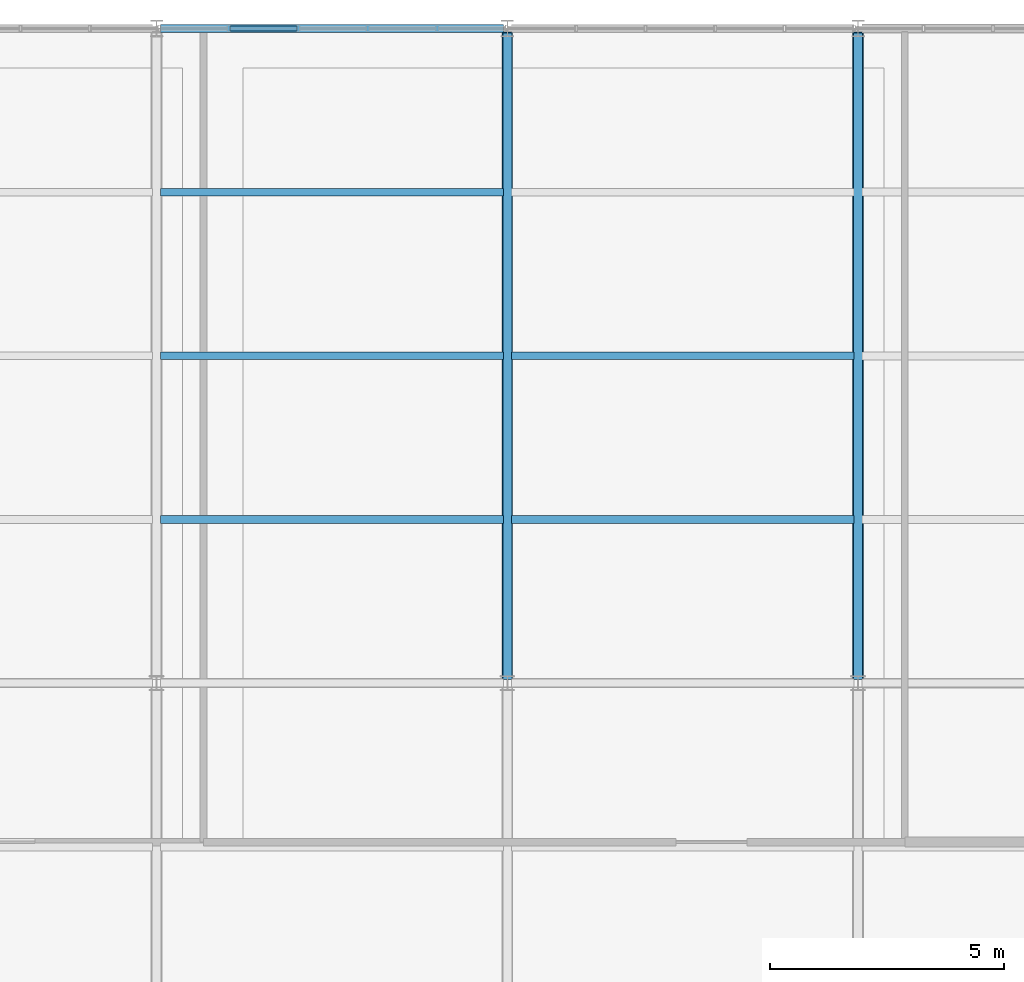
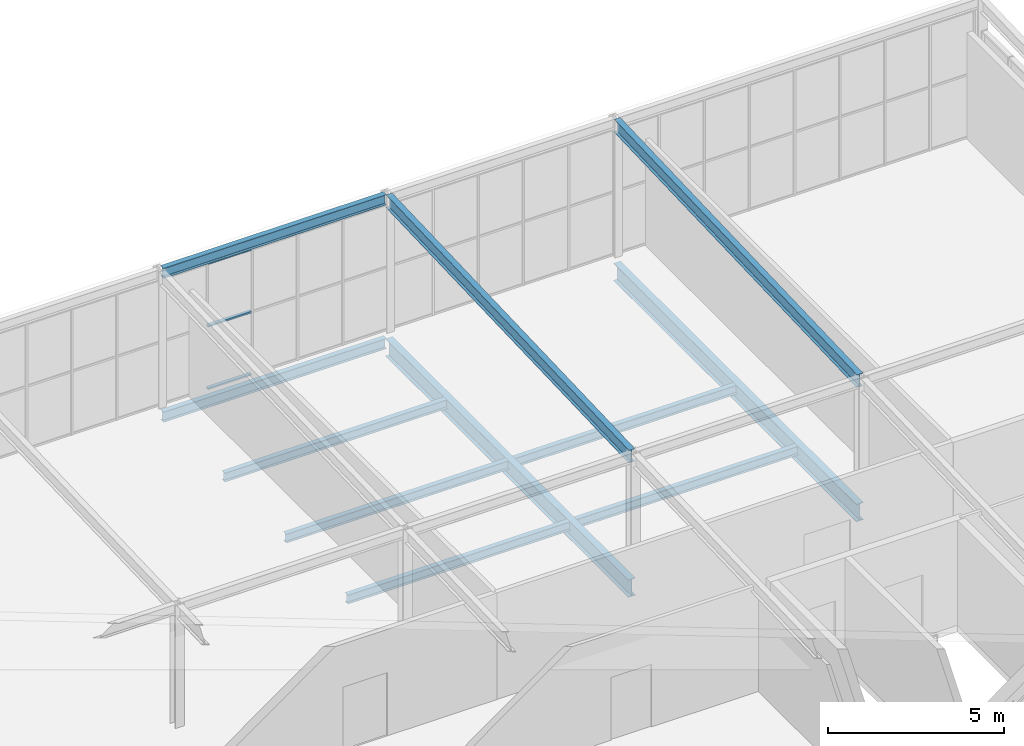
# One storey, part 18 of 27: 11 beams, 3 members, 1 element without a shape of its own.
"""IFC4 building model written with IfcOpenShell, lengths in metres."""

from ifc_helpers import new_model, si_unit, direction, frame, origin, origin_2d, place, context, subcontext, project, spatial, hollow_rectangle, i_section, extrude, material, layer, layer_set, material_profile, profile_set, type_object, element, aggregate, save


model = new_model("IFC4")

# Units and contexts
model_context = context("Model", 3, precision=1e-05, world=origin(), true_north=direction((0.0, 1.0)))
body_context = subcontext(model_context, "Body", "Model", "MODEL_VIEW")
ifc_project = project(units=[si_unit("LENGTHUNIT", "METRE"), si_unit("AREAUNIT", "SQUARE_METRE"), si_unit("VOLUMEUNIT", "CUBIC_METRE"), si_unit("PLANEANGLEUNIT", "RADIAN"), si_unit("MASSUNIT", "GRAM", prefix="KILO")], contexts=[model_context])

# Site, building, storey
site_placement = place(None, origin())
site = spatial("IfcSite", under=ifc_project, at=site_placement, CompositionType="ELEMENT")
building_placement = place(site_placement, origin())
building = spatial("IfcBuilding", under=site, at=building_placement, Name="Solvenia Promenade Tram Depot", CompositionType="ELEMENT")
storey_placement = place(building_placement, frame((0.0, 0.0, 13.5)))
storey = spatial("IfcBuildingStorey", under=building, at=storey_placement, Name="L03", CompositionType="ELEMENT", Elevation=13.5)

# Beams
ifc_material_1 = material(Name="Structural steel ASTM A992 Gr. 50", Category="steel")
ifc_material_profile_1 = material_profile(ifc_material_1, i_section(OverallWidth=0.19091796875, OverallDepth=0.4599609375, WebThickness=0.010009765625, FlangeThickness=0.01611328125, FilletRadius=0.012939453125, at=origin_2d()), Name="W460x82", Category="steel")
ifc_profile_set_1 = profile_set([ifc_material_profile_1], Name="Structural steel ASTM A992 Gr. 50")
beam_type_1 = type_object("IfcBeamType", Name="Beam-W460x82", PredefinedType="BEAM", material=ifc_profile_set_1)
for number, where, z_axis, x_axis, name in (
    (1, (142.5, 52.0849609375, 4.030029296875), (0.0, 0.999347117137, 0.036129481992), (-1.0, 0.0, 0.0), "Control Hub Sloped Rafter BM-L03-0886"),
    (2, (150.0, 52.0849609375, 4.030029296875), (0.0, 0.999347117137, 0.036129481992), (-1.0, 0.0, 0.0), "Control Hub Sloped Rafter BM-L03-0888"),
):
    element("IfcBeam", number, at=place(storey_placement, frame(where, z_axis=z_axis, x_axis=x_axis)), inside=storey, type_object=beam_type_1, Name=name, PredefinedType="BEAM", context=body_context, shape_type="SweptSolid", body=[
        extrude(i_section(OverallWidth=0.19091796875, OverallDepth=0.4599609375, WebThickness=0.010009765625, FlangeThickness=0.01611328125, FilletRadius=0.012939453125, at=origin_2d()), origin(), (0.0, 0.0, 1.0), 13.839111328125),
    ])

# Curtain wall, members
ifc_material_2 = material(Name="Anodized aluminium AW-6063 T6", Category="aluminium")
ifc_layer = layer(ifc_material_2, 0.199951171875, Name="Anodized aluminium AW-6063 T6", Category="aluminium")
ifc_layer_set = layer_set([ifc_layer], Name="Anodized aluminium AW-6063 T6")
curtain_wall_type = type_object("IfcCurtainWallType", Name="CW-OCC-1500", PredefinedType="NOTDEFINED", material=ifc_layer_set)
curtain_wall_placement = place(storey_placement, origin())
curtain_wall = element("IfcCurtainWall", 3, at=curtain_wall_placement, inside=storey, type_object=curtain_wall_type, Name="Curtain Wall CW-L03-V2N", PredefinedType="NOTDEFINED")
ifc_material_profile_2 = material_profile(ifc_material_2, hollow_rectangle(XDim=0.110107421875, YDim=0.054931640625, WallThickness=0.00390625, at=origin_2d()), Name="ALU-T4", Category="aluminium")
ifc_profile_set_2 = profile_set([ifc_material_profile_2], Name="Anodized aluminium AW-6063 T6")
member_type = type_object("IfcMemberType", Name="CWT-Transom-4", PredefinedType="USERDEFINED", material=ifc_profile_set_2)
member_1_placement = place(storey_placement, frame((136.5703125, 66.0, 0.027587890625), z_axis=(1.0, 0.0, 0.0), x_axis=(0.0, 1.0, 0.0)))
member_1 = element("IfcMember", 4, at=member_1_placement, type_object=member_type, Name="CW-8 transom 12.1", ObjectType="TRANSOM", PredefinedType="USERDEFINED", context=body_context, shape_type="SweptSolid", body=[
    extrude(hollow_rectangle(XDim=0.110107421875, YDim=0.054931640625, WallThickness=0.00390625, at=origin_2d()), origin(), (0.0, 0.0, 1.0), 1.4306640625),
])
member_2_placement = place(storey_placement, frame((136.5703125, 66.0, 2.199951171875), z_axis=(1.0, 0.0, 0.0), x_axis=(0.0, 1.0, 0.0)))
member_2 = element("IfcMember", 5, at=member_2_placement, type_object=member_type, Name="CW-8 transom 12.2", ObjectType="TRANSOM", PredefinedType="USERDEFINED", context=body_context, shape_type="SweptSolid", body=[
    extrude(hollow_rectangle(XDim=0.110107421875, YDim=0.054931640625, WallThickness=0.00390625, at=origin_2d()), origin(), (0.0, 0.0, 1.0), 1.4306640625),
])
member_3_placement = place(storey_placement, frame((136.5703125, 66.0, 4.37255859375), z_axis=(1.0, 0.0, 0.0), x_axis=(0.0, 1.0, 0.0)))
member_3 = element("IfcMember", 6, at=member_3_placement, type_object=member_type, Name="CW-8 transom 12.3", ObjectType="TRANSOM", PredefinedType="USERDEFINED", context=body_context, shape_type="SweptSolid", body=[
    extrude(hollow_rectangle(XDim=0.110107421875, YDim=0.054931640625, WallThickness=0.00390625, at=origin_2d()), origin(), (0.0, 0.0, 1.0), 1.4306640625),
])
aggregate(curtain_wall, [member_1, member_2, member_3])

# Beams
ifc_material_profile_3 = material_profile(ifc_material_1, i_section(OverallWidth=0.22900390625, OverallDepth=0.612060546875, WebThickness=0.011962890625, FlangeThickness=0.01953125, FilletRadius=0.014892578125, at=origin_2d()), Name="W610x125", Category="steel")
ifc_profile_set_3 = profile_set([ifc_material_profile_3], Name="Structural steel ASTM A992 Gr. 50")
beam_type_2 = type_object("IfcBeamType", Name="Gird-W610x125", PredefinedType="BEAM", material=ifc_profile_set_3)
for number, where, z_axis, x_axis, name in (
    (7, (142.5, 52.0849609375, -0.5458984375), (0.0, 1.0, 0.0), (-1.0, 0.0, 0.0), "Transverse Girder BM-L03-0617"),
    (8, (150.0, 52.0849609375, -0.5458984375), (0.0, 1.0, 0.0), (-1.0, 0.0, 0.0), "Transverse Girder BM-L03-0619"),
):
    element("IfcBeam", number, at=place(storey_placement, frame(where, z_axis=z_axis, x_axis=x_axis)), inside=storey, type_object=beam_type_2, Name=name, PredefinedType="BEAM", context=body_context, shape_type="SweptSolid", body=[
        extrude(i_section(OverallWidth=0.22900390625, OverallDepth=0.612060546875, WebThickness=0.011962890625, FlangeThickness=0.01953125, FilletRadius=0.014892578125, at=origin_2d()), origin(), (0.0, 0.0, 1.0), 13.830078125),
    ])
ifc_material_profile_4 = material_profile(ifc_material_1, i_section(OverallWidth=0.166015625, OverallDepth=0.31298828125, WebThickness=0.006591796875, FlangeThickness=0.01123046875, FilletRadius=0.010009765625, at=origin_2d()), Name="W310x45", Category="steel")
ifc_profile_set_4 = profile_set([ifc_material_profile_4], Name="Structural steel ASTM A992 Gr. 50")
beam_type_3 = type_object("IfcBeamType", Name="Joist-W310x45", PredefinedType="JOIST", material=ifc_profile_set_4)
for number, where, z_axis, x_axis, name in (
    (9, (135.0849609375, 55.5, -0.396484375), (1.0, 0.0, 0.0), (0.0, 1.0, 0.0), "Secondary Floor Joist BM-L03-0637"),
    (10, (135.0849609375, 59.0, -0.396484375), (1.0, 0.0, 0.0), (0.0, 1.0, 0.0), "Secondary Floor Joist BM-L03-0638"),
    (11, (135.0849609375, 62.5, -0.396484375), (1.0, 0.0, 0.0), (0.0, 1.0, 0.0), "Secondary Floor Joist BM-L03-0639"),
    (12, (142.5849609375, 55.5, -0.396484375), (1.0, 0.0, 0.0), (0.0, 1.0, 0.0), "Secondary Floor Joist BM-L03-0641"),
    (13, (142.5849609375, 59.0, -0.396484375), (1.0, 0.0, 0.0), (0.0, 1.0, 0.0), "Secondary Floor Joist BM-L03-0642"),
):
    element("IfcBeam", number, at=place(storey_placement, frame(where, z_axis=z_axis, x_axis=x_axis)), inside=storey, type_object=beam_type_3, Name=name, PredefinedType="JOIST", context=body_context, shape_type="SweptSolid", body=[
        extrude(i_section(OverallWidth=0.166015625, OverallDepth=0.31298828125, WebThickness=0.006591796875, FlangeThickness=0.01123046875, FilletRadius=0.010009765625, at=origin_2d()), origin(), (0.0, 0.0, 1.0), 7.330078125),
    ])
ifc_material_profile_5 = material_profile(ifc_material_1, i_section(OverallWidth=0.172119140625, OverallDepth=0.35791015625, WebThickness=0.0078125, FlangeThickness=0.01318359375, FilletRadius=0.010986328125, at=origin_2d()), Name="W360x57", Category="steel")
ifc_profile_set_5 = profile_set([ifc_material_profile_5], Name="Structural steel ASTM A992 Gr. 50")
beam_type_4 = type_object("IfcBeamType", Name="Spandrel-W360x57", PredefinedType="SPANDREL", material=ifc_profile_set_5)
for number, where, z_axis, x_axis, name in (
    (14, (135.0849609375, 66.0, -0.4189453125), (1.0, 0.0, 0.0), (0.0, 1.0, 0.0), "Perimeter Spandrel BM-L03-0607"),
    (15, (135.0849609375, 66.0, 4.5810546875), (1.0, 0.0, 0.0), (0.0, 1.0, 0.0), "Control Hub Roof Girder BM-L03-0899"),
):
    element("IfcBeam", number, at=place(storey_placement, frame(where, z_axis=z_axis, x_axis=x_axis)), inside=storey, type_object=beam_type_4, Name=name, PredefinedType="SPANDREL", context=body_context, shape_type="SweptSolid", body=[
        extrude(i_section(OverallWidth=0.172119140625, OverallDepth=0.35791015625, WebThickness=0.0078125, FlangeThickness=0.01318359375, FilletRadius=0.010986328125, at=origin_2d()), origin(), (0.0, 0.0, 1.0), 7.330078125),
    ])

save(model, "model.ifc")
